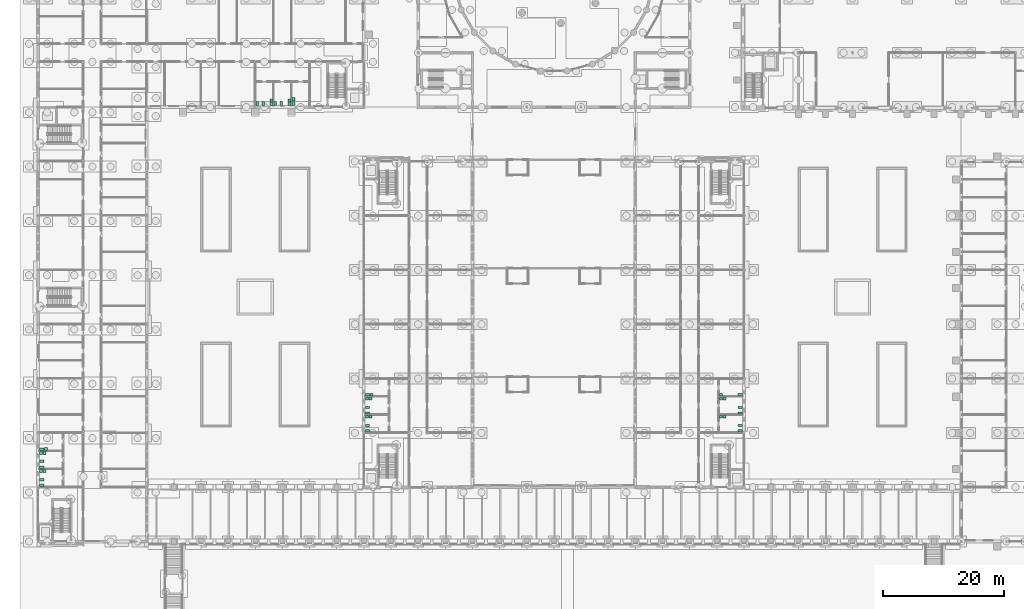
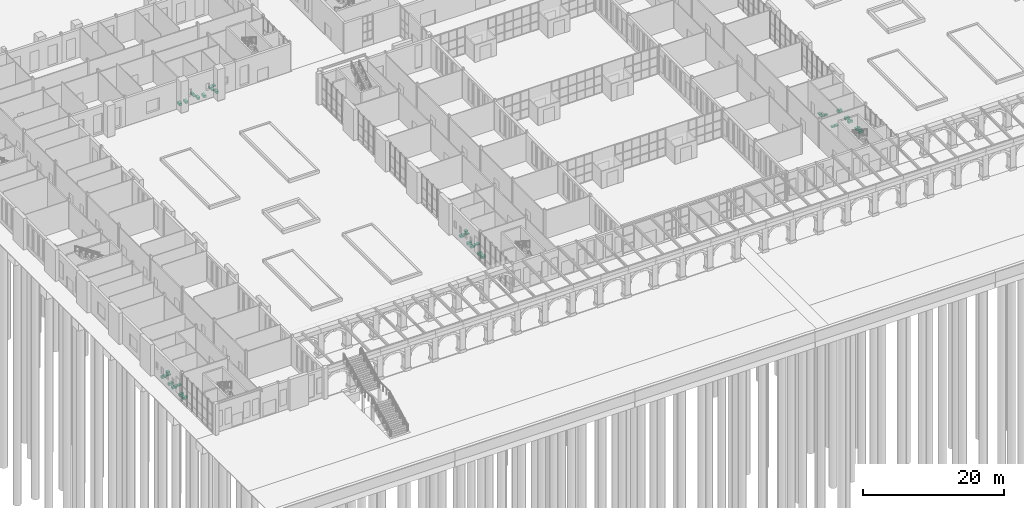
# One storey, part 166 of 168: 40 sanitary terminals.
"""IFC4 building model written with IfcOpenShell, lengths in metres."""

from ifc_helpers import new_model, si_unit, direction, frame, origin, origin_2d, place, context, subcontext, project, spatial, rectangle, extrude, material, type_object, element, save


model = new_model("IFC4")

# Units and contexts
model_context = context("Model", 3, precision=1e-05, world=origin(), true_north=direction((0.0, 1.0)))
body_context = subcontext(model_context, "Body", "Model", "MODEL_VIEW")
ifc_project = project(units=[si_unit("LENGTHUNIT", "METRE"), si_unit("AREAUNIT", "SQUARE_METRE"), si_unit("VOLUMEUNIT", "CUBIC_METRE"), si_unit("PLANEANGLEUNIT", "RADIAN"), si_unit("MASSUNIT", "GRAM", prefix="KILO")], contexts=[model_context])

# Site, building, storey
site_placement = place(None, origin())
site = spatial("IfcSite", under=ifc_project, at=site_placement, CompositionType="ELEMENT")
building_placement = place(site_placement, origin())
building = spatial("IfcBuilding", under=site, at=building_placement, Name="Golden Quay Civic Hall", CompositionType="ELEMENT")
storey_placement = place(building_placement, origin())
storey = spatial("IfcBuildingStorey", under=building, at=storey_placement, Name="L00", CompositionType="ELEMENT", Elevation=0.0)

# Sanitary terminals
ifc_material_1 = material(Name="Ceramic")
sanitary_terminal_type_1 = type_object("IfcSanitaryTerminalType", Name="Toilet pan", PredefinedType="TOILETPAN", material=ifc_material_1)
for number, where, z_axis, x_axis, name in (
    (1, (116.39990234375, 9.324951171875, 0.0), (0.0, 0.0, 1.0), (0.0, 1.0, 0.0), "Toilet pan"),
    (2, (116.39990234375, 10.22509765625, 0.0), (0.0, 0.0, 1.0), (0.0, 1.0, 0.0), "Toilet pan"),
    (3, (116.39990234375, 12.300048828125, 0.0), (0.0, 0.0, 1.0), (0.0, 1.0, 0.0), "Toilet pan"),
    (4, (116.39990234375, 13.199951171875, 0.0), (0.0, 0.0, 1.0), (0.0, 1.0, 0.0), "Toilet pan"),
    (5, (116.39990234375, 15.300048828125, 0.0), (0.0, 0.0, 1.0), (0.0, 1.0, 0.0), "Toilet pan"),
    (6, (36.324951171875, 63.60009765625, 0.0), (0.0, 0.0, 1.0), (1.0, 0.0, 0.0), "Toilet pan"),
    (7, (37.324951171875, 63.60009765625, 0.0), (0.0, 0.0, 1.0), (1.0, 0.0, 0.0), "Toilet pan"),
    (8, (39.300048828125, 63.60009765625, 0.0), (0.0, 0.0, 1.0), (1.0, 0.0, 0.0), "Toilet pan"),
    (9, (40.300048828125, 63.60009765625, 0.0), (0.0, 0.0, 1.0), (1.0, 0.0, 0.0), "Toilet pan"),
    (10, (42.300048828125, 63.60009765625, 0.0), (0.0, 0.0, 1.0), (1.0, 0.0, 0.0), "Toilet pan"),
    (11, (54.60009765625, 9.324951171875, 0.0), (0.0, 0.0, 1.0), (0.0, 1.0, 0.0), "Toilet pan"),
    (12, (54.60009765625, 10.22509765625, 0.0), (0.0, 0.0, 1.0), (0.0, 1.0, 0.0), "Toilet pan"),
    (13, (54.60009765625, 12.300048828125, 0.0), (0.0, 0.0, 1.0), (0.0, 1.0, 0.0), "Toilet pan"),
    (14, (54.60009765625, 13.199951171875, 0.0), (0.0, 0.0, 1.0), (0.0, 1.0, 0.0), "Toilet pan"),
    (15, (54.60009765625, 15.300048828125, 0.0), (0.0, 0.0, 1.0), (0.0, 1.0, 0.0), "Toilet pan"),
    (16, (0.60009765625, 0.324951171875, 0.0), (0.0, 0.0, 1.0), (0.0, 1.0, 0.0), "Toilet pan"),
    (17, (0.60009765625, 1.22509765625, 0.0), (0.0, 0.0, 1.0), (0.0, 1.0, 0.0), "Toilet pan"),
    (18, (0.60009765625, 3.300048828125, 0.0), (0.0, 0.0, 1.0), (0.0, 1.0, 0.0), "Toilet pan"),
    (19, (0.60009765625, 4.300048828125, 0.0), (0.0, 0.0, 1.0), (0.0, 1.0, 0.0), "Toilet pan"),
    (20, (0.60009765625, 6.300048828125, 0.0), (0.0, 0.0, 1.0), (0.0, 1.0, 0.0), "Toilet pan"),
):
    element("IfcSanitaryTerminal", number, at=place(storey_placement, frame(where, z_axis=z_axis, x_axis=x_axis)), inside=storey, type_object=sanitary_terminal_type_1, Name=name, PredefinedType="TOILETPAN", context=body_context, shape_type="SweptSolid", body=[
        extrude(rectangle(XDim=0.39990234375, YDim=0.699951171875, at=origin_2d()), origin(), (0.0, 0.0, 1.0), 0.39990234375),
    ])
ifc_material_2 = material(Name="Ceramic")
sanitary_terminal_type_2 = type_object("IfcSanitaryTerminalType", Name="Wash basin", PredefinedType="WASHHANDBASIN", material=ifc_material_2)
for number, where, z_axis, x_axis, name in (
    (21, (113.175048828125, 11.675048828125, 0.7001953125), (0.0, 0.0, 1.0), (1.0, 0.0, 0.0), "Wash basin"),
    (22, (113.77490234375, 11.675048828125, 0.7001953125), (0.0, 0.0, 1.0), (1.0, 0.0, 0.0), "Wash basin"),
    (23, (113.175048828125, 14.675048828125, 0.7001953125), (0.0, 0.0, 1.0), (1.0, 0.0, 0.0), "Wash basin"),
    (24, (113.77490234375, 14.675048828125, 0.7001953125), (0.0, 0.0, 1.0), (1.0, 0.0, 0.0), "Wash basin"),
    (25, (113.175048828125, 15.324951171875, 0.7001953125), (0.0, 0.0, 1.0), (1.0, 0.0, 0.0), "Wash basin"),
    (26, (38.675048828125, 63.5, 0.7001953125), (0.0, 0.0, 1.0), (0.0, 1.0, 0.0), "Wash basin"),
    (27, (38.675048828125, 64.10009765625, 0.7001953125), (0.0, 0.0, 1.0), (0.0, 1.0, 0.0), "Wash basin"),
    (28, (41.675048828125, 63.5, 0.7001953125), (0.0, 0.0, 1.0), (0.0, 1.0, 0.0), "Wash basin"),
    (29, (41.675048828125, 64.10009765625, 0.7001953125), (0.0, 0.0, 1.0), (0.0, 1.0, 0.0), "Wash basin"),
    (30, (42.324951171875, 64.300048828125, 0.7001953125), (0.0, 0.0, 1.0), (0.0, 1.0, 0.0), "Wash basin"),
    (31, (54.5, 11.675048828125, 0.7001953125), (0.0, 0.0, 1.0), (1.0, 0.0, 0.0), "Wash basin"),
    (32, (55.10009765625, 11.675048828125, 0.7001953125), (0.0, 0.0, 1.0), (1.0, 0.0, 0.0), "Wash basin"),
    (33, (54.5, 14.675048828125, 0.7001953125), (0.0, 0.0, 1.0), (1.0, 0.0, 0.0), "Wash basin"),
    (34, (55.10009765625, 14.675048828125, 0.7001953125), (0.0, 0.0, 1.0), (1.0, 0.0, 0.0), "Wash basin"),
    (35, (55.300048828125, 15.324951171875, 0.7001953125), (0.0, 0.0, 1.0), (1.0, 0.0, 0.0), "Wash basin"),
    (36, (0.5, 2.675048828125, 0.7001953125), (0.0, 0.0, 1.0), (1.0, 0.0, 0.0), "Wash basin"),
    (37, (1.10009765625, 2.675048828125, 0.7001953125), (0.0, 0.0, 1.0), (1.0, 0.0, 0.0), "Wash basin"),
    (38, (0.5, 5.675048828125, 0.7001953125), (0.0, 0.0, 1.0), (1.0, 0.0, 0.0), "Wash basin"),
    (39, (1.10009765625, 5.675048828125, 0.7001953125), (0.0, 0.0, 1.0), (1.0, 0.0, 0.0), "Wash basin"),
    (40, (1.300048828125, 6.324951171875, 0.7001953125), (0.0, 0.0, 1.0), (1.0, 0.0, 0.0), "Wash basin"),
):
    element("IfcSanitaryTerminal", number, at=place(storey_placement, frame(where, z_axis=z_axis, x_axis=x_axis)), inside=storey, type_object=sanitary_terminal_type_2, Name=name, PredefinedType="WASHHANDBASIN", context=body_context, shape_type="SweptSolid", body=[
        extrude(rectangle(XDim=0.5, YDim=0.449951171875, at=origin_2d()), origin(), (0.0, 0.0, 1.0), 0.199951171875),
    ])

save(model, "model.ifc")
